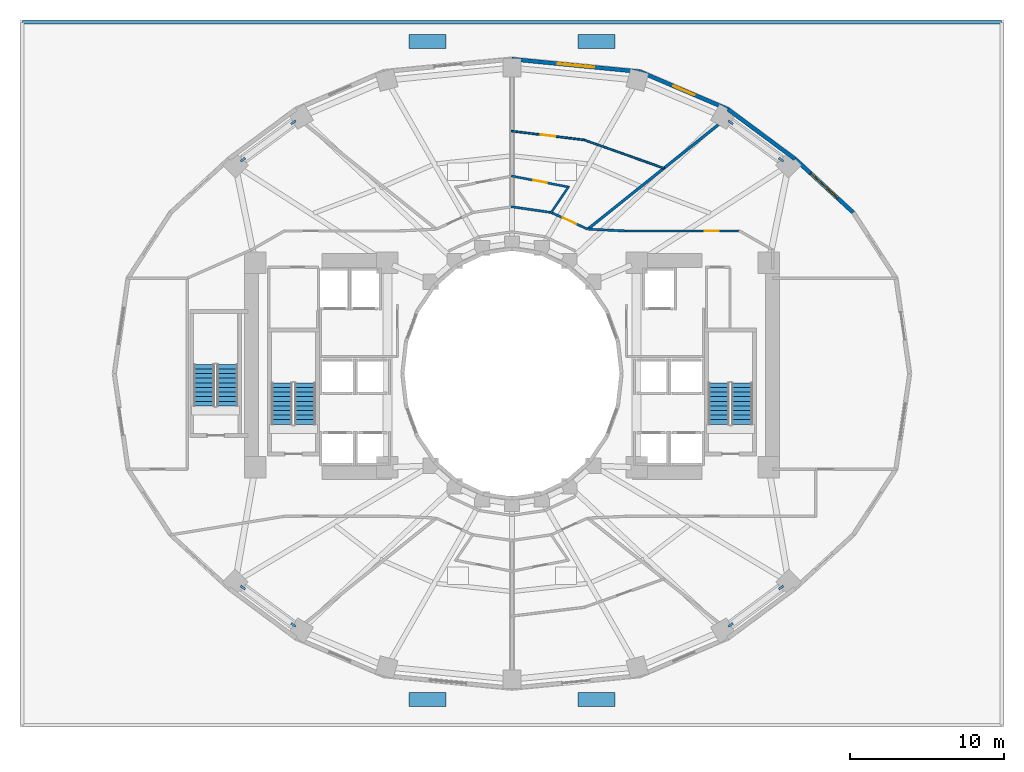
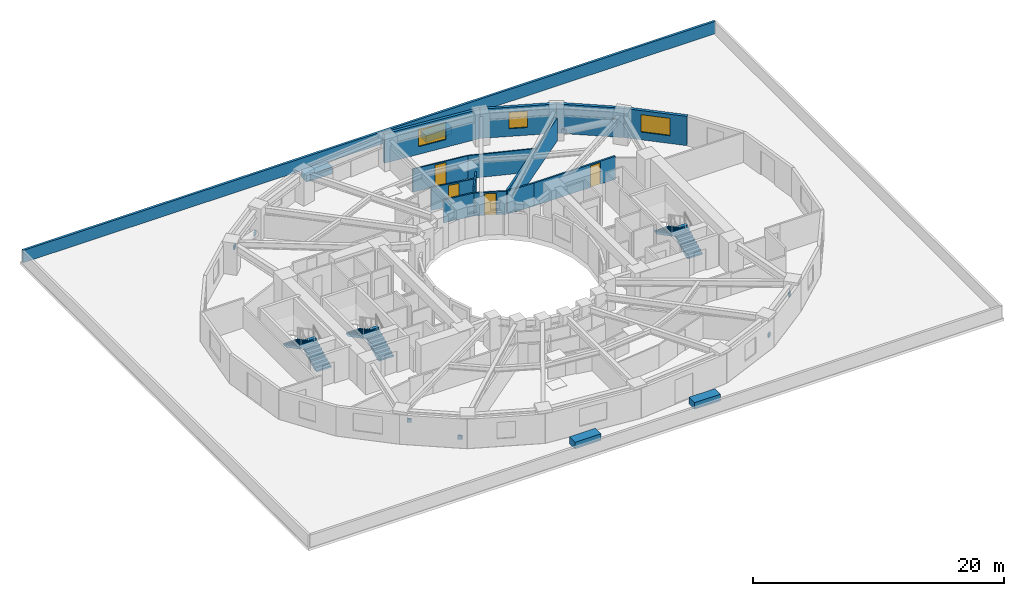
# One storey, part 8 of 10: 14 walls, 12 discrete accessories, 6 stair flights, 4 doors, 3 windows, 7 openings, 3 elements without a shape of their own.
"""IFC4 building model written with IfcOpenShell, lengths in metres."""

from ifc_helpers import new_model, si_unit, direction, frame, frame_2d, origin, origin_2d, place, context, subcontext, project, spatial, polyline, rectangle, outline, extrude, material, layer, layer_set, type_object, element, fill, aggregate, save


model = new_model("IFC4")

# Units and contexts
model_context = context("Model", 3, precision=1e-05, world=origin(), true_north=direction((0.0, 1.0)))
body_context = subcontext(model_context, "Body", "Model", "MODEL_VIEW")
ifc_project = project(units=[si_unit("LENGTHUNIT", "METRE"), si_unit("AREAUNIT", "SQUARE_METRE"), si_unit("VOLUMEUNIT", "CUBIC_METRE"), si_unit("PLANEANGLEUNIT", "RADIAN"), si_unit("MASSUNIT", "GRAM", prefix="KILO")], contexts=[model_context])

# Site, building, storey
site_placement = place(None, origin())
site = spatial("IfcSite", under=ifc_project, at=site_placement, CompositionType="ELEMENT")
building_placement = place(site_placement, origin())
building = spatial("IfcBuilding", under=site, at=building_placement, Name="Solvane Sanctuary Tower", CompositionType="ELEMENT")
storey_placement = place(building_placement, frame((0.0, 0.0, 27.60009765625)))
storey = spatial("IfcBuildingStorey", under=building, at=storey_placement, Name="L07", CompositionType="ELEMENT", Elevation=27.60009765625)

# Wall
ifc_material_1 = material(Name="Acoustic Gypsum Partition Board")
ifc_layer_1 = layer(ifc_material_1, 0.14990234375, Name="Acoustic Gypsum Partition Board")
ifc_layer_set_1 = layer_set([ifc_layer_1], Name="Acoustic Gypsum Partition Board")
wall_type_1 = type_object("IfcWallType", Name="Wall W-CORR-150", PredefinedType="PARTITIONING", material=ifc_layer_set_1)
wall_1_placement = place(storey_placement, frame((36.97998046875, 32.393798828125, 0.0), z_axis=(0.0, 0.0, 1.0), x_axis=(0.998877427952, -0.047369651964, 0.0)))
element("IfcWall", 1, at=wall_1_placement, inside=storey, type_object=wall_type_1, Name="L07 NE Corner Throat Wall", PredefinedType="PARTITIONING", context=body_context, shape_type="SweptSolid", body=[
    extrude(rectangle(XDim=2.4326171875, YDim=0.14990234375, at=frame_2d((1.21630859375, 0.0))), origin(), (0.0, 0.0, 1.0), 2.23681640625),
])

# Wall, opening, door
wall_2_placement = place(storey_placement, frame((39.330078125, 32.280029296875, 0.0), z_axis=(0.0, 0.0, 1.0), x_axis=(1.0, 0.0, 0.0)))
wall_2 = element("IfcWall", 2, at=wall_2_placement, inside=storey, type_object=wall_type_1, Name="L07 NE Corner Corridor Wall", PredefinedType="PARTITIONING", context=body_context, shape_type="SweptSolid", body=[
    extrude(rectangle(XDim=7.52001953125, YDim=0.14990234375, at=frame_2d((3.760009765625, 0.0))), origin(), (0.0, 0.0, 1.0), 2.23681640625),
])
opening_1_placement = place(wall_2_placement, frame((5.219970703125, 0.0, 0.0)))
opening_1 = element("IfcOpeningElement", 3, at=opening_1_placement, cuts=wall_2, Name="Opening D-L07-14", PredefinedType="OPENING", context=body_context, shape_type="SweptSolid", body=[
    extrude(rectangle(XDim=0.89990234375, YDim=2.10009765625, at=frame_2d((0.449951171875, 1.050048828125))), frame((0.0, 0.0849609375, 0.0), z_axis=(0.0, -1.0, 0.0), x_axis=(1.0, 0.0, 0.0)), (0.0, 0.0, 1.0), 0.169921875),
])
ifc_material_2 = material(Name="Engineered Tropical Hardwood", Category="wood")
door_type_1 = type_object("IfcDoorType", Name="Door D-WET-900", OperationType="NOTDEFINED", PredefinedType="DOOR", material=ifc_material_2)
door_1_placement = place(opening_1_placement, origin())
door_1 = element("IfcDoor", 4, at=door_1_placement, inside=storey, type_object=door_type_1, Name="L07 NE Corner Salon Door", OperationType="SINGLE_SWING_RIGHT", OverallHeight=2.10009765625, OverallWidth=0.89990234375, PredefinedType="DOOR", context=body_context, shape_type="SweptSolid", body=[
    extrude(rectangle(XDim=0.89990234375, YDim=2.10009765625, at=frame_2d((0.449951171875, 1.050048828125))), frame((0.0, 0.02490234375, 0.0), z_axis=(0.0, -1.0, 0.0), x_axis=(1.0, 0.0, 0.0)), (0.0, 0.0, 1.0), 0.050048828125),
])
fill(opening_1, door_1)

# Wall
wall_3_placement = place(storey_placement, frame((34.598876953125, 33.47314453125, 0.0), z_axis=(0.0, 0.0, 1.0), x_axis=(-0.989649898776, 0.143502884474, 0.0)))
element("IfcWall", 5, at=wall_3_placement, inside=storey, type_object=wall_type_1, Name="L07 En-suite Inner Wall N1", PredefinedType="PARTITIONING", context=body_context, shape_type="SweptSolid", body=[
    extrude(rectangle(XDim=2.676025390625, YDim=0.14990234375, at=frame_2d((1.337890625, 0.0))), origin(), (0.0, 0.0, 1.0), 2.23681640625),
])

# Wall, opening, door
wall_4_placement = place(storey_placement, frame((36.930908203125, 32.392578125, 0.0), z_axis=(0.0, 0.0, 1.0), x_axis=(-0.909747571199, 0.415161843982, 0.0)))
wall_4 = element("IfcWall", 6, at=wall_4_placement, inside=storey, type_object=wall_type_1, Name="L07 Unit Corridor Wall N1", PredefinedType="PARTITIONING", context=body_context, shape_type="SweptSolid", body=[
    extrude(rectangle(XDim=2.625, YDim=0.14990234375, at=frame_2d((1.3125, 0.0))), origin(), (0.0, 0.0, 1.0), 2.23681640625),
])
opening_2_placement = place(wall_4_placement, frame((0.837646484375, 0.0, 0.0)))
opening_2 = element("IfcOpeningElement", 7, at=opening_2_placement, cuts=wall_4, Name="Opening D-L07-20", PredefinedType="OPENING", context=body_context, shape_type="SweptSolid", body=[
    extrude(rectangle(XDim=0.949951171875, YDim=2.10009765625, at=frame_2d((0.47509765625, 1.050048828125))), frame((0.0, 0.0849609375, 0.0), z_axis=(0.0, -1.0, 0.0), x_axis=(1.0, 0.0, 0.0)), (0.0, 0.0, 1.0), 0.169921875),
])
door_type_2 = type_object("IfcDoorType", Name="Door D-ROOM-950", OperationType="NOTDEFINED", PredefinedType="DOOR", material=ifc_material_2)
door_2_placement = place(opening_2_placement, origin())
door_2 = element("IfcDoor", 8, at=door_2_placement, inside=storey, type_object=door_type_2, Name="L07 Unit Entrance Door N1", OperationType="SINGLE_SWING_RIGHT", OverallHeight=2.10009765625, OverallWidth=0.949951171875, PredefinedType="DOOR", context=body_context, shape_type="SweptSolid", body=[
    extrude(rectangle(XDim=0.949951171875, YDim=2.10009765625, at=frame_2d((0.47509765625, 1.050048828125))), frame((0.0, 0.02490234375, 0.0), z_axis=(0.0, -1.0, 0.0), x_axis=(1.0, 0.0, 0.0)), (0.0, 0.0, 1.0), 0.050048828125),
])
fill(opening_2, door_2)

# Wall, opening, window
ifc_material_3 = material(Name="Precast concrete C40/50", Category="concrete")
ifc_layer_2 = layer(ifc_material_3, 0.260009765625, Name="Precast concrete C40/50")
ifc_layer_set_2 = layer_set([ifc_layer_2], Name="Precast concrete C40/50")
wall_type_2 = type_object("IfcWallType", Name="Wall W-EXT-250", PredefinedType="STANDARD", material=ifc_layer_set_2)
wall_5_placement = place(storey_placement, frame((54.19384765625, 33.4755859375, 0.0), z_axis=(0.0, 0.0, 1.0), x_axis=(-0.735655109293, 0.67735630223, 0.0)))
wall_5 = element("IfcWall", 9, at=wall_5_placement, inside=storey, type_object=wall_type_2, Name="L07 Ceramic-Printed Facade Wall 02", PredefinedType="STANDARD", context=body_context, shape_type="SweptSolid", body=[
    extrude(rectangle(XDim=5.15087890625, YDim=0.260009765625, at=frame_2d((2.575439453125, 0.0))), origin(), (0.0, 0.0, 1.0), 2.849853515625),
])
opening_3_placement = place(wall_5_placement, frame((1.37548828125, 0.0, 0.75)))
opening_3 = element("IfcOpeningElement", 10, at=opening_3_placement, cuts=wall_5, Name="Opening WN-RIB-2400", PredefinedType="OPENING", context=body_context, shape_type="SweptSolid", body=[
    extrude(rectangle(XDim=2.39990234375, YDim=1.699951171875, at=frame_2d((1.199951171875, 0.85009765625))), frame((0.0, 0.139892578125, 0.0), z_axis=(0.0, -1.0, 0.0), x_axis=(1.0, 0.0, 0.0)), (0.0, 0.0, 1.0), 0.280029296875),
])
ifc_material_4 = material(Name="Dark Ceramic-Fritted Low-E Glass", Category="glass")
window_type_1 = type_object("IfcWindowType", Name="Window WN-RIB-2400", PartitioningType="SINGLE_PANEL", PredefinedType="WINDOW", material=ifc_material_4)
window_1_placement = place(opening_3_placement, origin())
window_1 = element("IfcWindow", 11, at=window_1_placement, inside=storey, type_object=window_type_1, Name="L07 Operable Facade Window 02", OverallHeight=1.699951171875, OverallWidth=2.39990234375, PartitioningType="SINGLE_PANEL", PredefinedType="WINDOW", context=body_context, shape_type="SweptSolid", body=[
    extrude(rectangle(XDim=2.39990234375, YDim=1.699951171875, at=frame_2d((1.199951171875, 0.85009765625))), frame((0.0, 0.030029296875, 0.0), z_axis=(0.0, -1.0, 0.0), x_axis=(1.0, 0.0, 0.0)), (0.0, 0.0, 1.0), 0.06005859375),
])
fill(opening_3, window_1)

# Wall
wall_6_placement = place(storey_placement, frame((50.404541015625, 36.964599609375, 0.0), z_axis=(0.0, 0.0, 1.0), x_axis=(-0.803477531792, 0.595335078679, 0.0)))
element("IfcWall", 12, at=wall_6_placement, inside=storey, type_object=wall_type_2, Name="L07 Ceramic-Printed Facade Wall 03", PredefinedType="STANDARD", context=body_context, shape_type="SweptSolid", body=[
    extrude(rectangle(XDim=5.4296875, YDim=0.260009765625, at=frame_2d((2.71484375, 0.0))), origin(), (0.0, 0.0, 1.0), 2.849853515625),
])

# Wall, opening, window
wall_7_placement = place(storey_placement, frame((46.0419921875, 40.197021484375, 0.0), z_axis=(0.0, 0.0, 1.0), x_axis=(-0.919612132394, 0.39282760335, 0.0)))
wall_7 = element("IfcWall", 13, at=wall_7_placement, inside=storey, type_object=wall_type_2, Name="L07 Ceramic-Printed Facade Wall 04", PredefinedType="STANDARD", context=body_context, shape_type="SweptSolid", body=[
    extrude(rectangle(XDim=6.20947265625, YDim=0.260009765625, at=frame_2d((3.104736328125, 0.0))), origin(), (0.0, 0.0, 1.0), 2.849853515625),
])
opening_4_placement = place(wall_7_placement, frame((2.354736328125, 0.0, 0.75)))
opening_4 = element("IfcOpeningElement", 14, at=opening_4_placement, cuts=wall_7, Name="Opening WN-OPER-1500", PredefinedType="OPENING", context=body_context, shape_type="SweptSolid", body=[
    extrude(rectangle(XDim=1.5, YDim=1.60009765625, at=frame_2d((0.75, 0.800048828125))), frame((0.0, 0.139892578125, 0.0), z_axis=(0.0, -1.0, 0.0), x_axis=(1.0, 0.0, 0.0)), (0.0, 0.0, 1.0), 0.280029296875),
])
window_type_2 = type_object("IfcWindowType", Name="Window WN-OPER-1500", PartitioningType="SINGLE_PANEL", PredefinedType="WINDOW", material=ifc_material_4)
window_2_placement = place(opening_4_placement, origin())
window_2 = element("IfcWindow", 15, at=window_2_placement, inside=storey, type_object=window_type_2, Name="L07 Operable Facade Window 04", OverallHeight=1.60009765625, OverallWidth=1.5, PartitioningType="SINGLE_PANEL", PredefinedType="WINDOW", context=body_context, shape_type="SweptSolid", body=[
    extrude(rectangle(XDim=1.5, YDim=1.60009765625, at=frame_2d((0.75, 0.800048828125))), frame((0.0, 0.030029296875, 0.0), z_axis=(0.0, -1.0, 0.0), x_axis=(1.0, 0.0, 0.0)), (0.0, 0.0, 1.0), 0.06005859375),
])
fill(opening_4, window_2)

wall_8_placement = place(storey_placement, frame((40.331787109375, 42.63623046875, 0.0), z_axis=(0.0, 0.0, 1.0), x_axis=(-0.995247718352, 0.097375454379, 0.0)))
wall_8 = element("IfcWall", 16, at=wall_8_placement, inside=storey, type_object=wall_type_2, Name="L07 Ceramic-Printed Facade Wall 05", PredefinedType="STANDARD", context=body_context, shape_type="SweptSolid", body=[
    extrude(rectangle(XDim=8.37158203125, YDim=0.260009765625, at=frame_2d((4.185791015625, 0.0))), origin(), (0.0, 0.0, 1.0), 2.849853515625),
])
opening_5_placement = place(wall_8_placement, frame((2.985595703125, 0.0, 0.75)))
opening_5 = element("IfcOpeningElement", 17, at=opening_5_placement, cuts=wall_8, Name="Opening WN-RIB-2400", PredefinedType="OPENING", context=body_context, shape_type="SweptSolid", body=[
    extrude(rectangle(XDim=2.39990234375, YDim=1.699951171875, at=frame_2d((1.199951171875, 0.85009765625))), frame((0.0, 0.139892578125, 0.0), z_axis=(0.0, -1.0, 0.0), x_axis=(1.0, 0.0, 0.0)), (0.0, 0.0, 1.0), 0.280029296875),
])
window_3_placement = place(opening_5_placement, origin())
window_3 = element("IfcWindow", 18, at=window_3_placement, inside=storey, type_object=window_type_1, Name="L07 Operable Facade Window 05", OverallHeight=1.699951171875, OverallWidth=2.39990234375, PartitioningType="SINGLE_PANEL", PredefinedType="WINDOW", context=body_context, shape_type="SweptSolid", body=[
    extrude(rectangle(XDim=2.39990234375, YDim=1.699951171875, at=frame_2d((1.199951171875, 0.85009765625))), frame((0.0, 0.030029296875, 0.0), z_axis=(0.0, -1.0, 0.0), x_axis=(1.0, 0.0, 0.0)), (0.0, 0.0, 1.0), 0.06005859375),
])
fill(opening_5, window_3)

# Wall
ifc_layer_3 = layer(ifc_material_1, 0.1201171875, Name="Acoustic Gypsum Partition Board")
ifc_layer_set_3 = layer_set([ifc_layer_3], Name="Acoustic Gypsum Partition Board")
wall_type_3 = type_object("IfcWallType", Name="Wall W-MOV-100", PredefinedType="MOVABLE", material=ifc_layer_set_3)
wall_9_placement = place(storey_placement, frame((41.927734375, 36.341796875, 0.0), z_axis=(0.0, 0.0, 1.0), x_axis=(-0.942369240096, 0.334574678243, 0.0)))
element("IfcWall", 19, at=wall_9_placement, inside=storey, type_object=wall_type_3, Name="L07 Suite Sitting Lounge Partition N1", PredefinedType="MOVABLE", context=body_context, shape_type="SweptSolid", body=[
    extrude(rectangle(XDim=5.558837890625, YDim=0.1201171875, at=frame_2d((2.779296875, 0.0))), origin(), (0.0, 0.0, 1.0), 2.23681640625),
])

# Wall, opening, door
wall_10_placement = place(storey_placement, frame((36.70849609375, 38.197265625, 0.0), z_axis=(0.0, 0.0, 1.0), x_axis=(-0.992699076447, 0.120617343785, 0.0)))
wall_10 = element("IfcWall", 20, at=wall_10_placement, inside=storey, type_object=wall_type_3, Name="L07 Suite Sitting Lounge Partition N1", PredefinedType="MOVABLE", context=body_context, shape_type="SweptSolid", body=[
    extrude(rectangle(XDim=4.79296875, YDim=0.1201171875, at=frame_2d((2.396484375, 0.0))), origin(), (0.0, 0.0, 1.0), 2.23681640625),
])
opening_6_placement = place(wall_10_placement, frame((1.921630859375, 0.0, 0.0)))
opening_6 = element("IfcOpeningElement", 21, at=opening_6_placement, cuts=wall_10, Name="Opening D-L07-18", PredefinedType="OPENING", context=body_context, shape_type="SweptSolid", body=[
    extrude(rectangle(XDim=0.949951171875, YDim=2.10009765625, at=frame_2d((0.47509765625, 1.050048828125))), frame((0.0, 0.070068359375, 0.0), z_axis=(0.0, -1.0, 0.0), x_axis=(1.0, 0.0, 0.0)), (0.0, 0.0, 1.0), 0.14013671875),
])
door_3_placement = place(opening_6_placement, origin())
door_3 = element("IfcDoor", 22, at=door_3_placement, inside=storey, type_object=door_type_2, Name="L07 Suite Sitting Lounge Door N1", OperationType="SINGLE_SWING_RIGHT", OverallHeight=2.10009765625, OverallWidth=0.949951171875, PredefinedType="DOOR", context=body_context, shape_type="SweptSolid", body=[
    extrude(rectangle(XDim=0.949951171875, YDim=2.10009765625, at=frame_2d((0.47509765625, 1.050048828125))), frame((0.0, 0.02490234375, 0.0), z_axis=(0.0, -1.0, 0.0), x_axis=(1.0, 0.0, 0.0)), (0.0, 0.0, 1.0), 0.050048828125),
])
fill(opening_6, door_3)

# Walls
ifc_layer_4 = layer(ifc_material_3, 0.2099609375, Name="Precast concrete C40/50")
ifc_layer_set_4 = layer_set([ifc_layer_4], Name="Precast concrete C40/50")
wall_type_4 = type_object("IfcWallType", Name="Wall W-PARAPET-200", PredefinedType="PARAPET", material=ifc_layer_set_4)
wall_11_placement = place(storey_placement, frame((63.85009765625, 45.85009765625, 0.0), z_axis=(0.0, 0.0, 1.0), x_axis=(-1.0, 0.0, 0.0)))
element("IfcWall", 23, at=wall_11_placement, inside=storey, type_object=wall_type_4, Name="L07 Podium Roof Perimeter Parapet N", PredefinedType="PARAPET", context=body_context, shape_type="SweptSolid", body=[
    extrude(rectangle(XDim=63.7001953125, YDim=0.2099609375, at=frame_2d((31.85009765625, 0.0))), origin(), (0.0, 0.0, 1.0), 1.199951171875),
])
ifc_layer_5 = layer(ifc_material_1, 0.179931640625, Name="Acoustic Gypsum Partition Board")
ifc_layer_set_5 = layer_set([ifc_layer_5], Name="Acoustic Gypsum Partition Board")
wall_type_5 = type_object("IfcWallType", Name="Wall W-UNIT-180", PredefinedType="PARTITIONING", material=ifc_layer_set_5)
wall_12_placement = place(storey_placement, frame((36.968017578125, 32.4306640625, 0.0), z_axis=(0.0, 0.0, 1.0), x_axis=(0.781055486744, 0.624461629428, 0.0)))
element("IfcWall", 24, at=wall_12_placement, inside=storey, type_object=wall_type_5, Name="L07 Radial Compartment Wall 060", PredefinedType="PARTITIONING", context=body_context, shape_type="SweptSolid", body=[
    extrude(rectangle(XDim=10.84326171875, YDim=0.179931640625, at=frame_2d((5.421630859375, 0.0))), origin(), (0.0, 0.0, 1.0), 2.23681640625),
])
ifc_layer_6 = layer(ifc_material_1, 0.139892578125, Name="Acoustic Gypsum Partition Board")
ifc_layer_set_6 = layer_set([ifc_layer_6], Name="Acoustic Gypsum Partition Board")
wall_type_6 = type_object("IfcWallType", Name="Wall W-WET-140", PredefinedType="PLUMBINGWALL", material=ifc_layer_set_6)
wall_13_placement = place(storey_placement, frame((34.521484375, 33.43896484375, 0.0), z_axis=(0.0, 0.0, 1.0), x_axis=(0.56056273171, 0.828111963335, 0.0)))
element("IfcWall", 25, at=wall_13_placement, inside=storey, type_object=wall_type_6, Name="L07 En-suite Side Partition N1", PredefinedType="PLUMBINGWALL", context=body_context, shape_type="SweptSolid", body=[
    extrude(rectangle(XDim=2.099609375, YDim=0.139892578125, at=frame_2d((1.0498046875, 0.0))), origin(), (0.0, 0.0, 1.0), 2.85498046875),
])

# Wall, opening, door
wall_14_placement = place(storey_placement, frame((35.7197265625, 35.126953125, 0.0), z_axis=(0.0, 0.0, 1.0), x_axis=(-0.981623000654, 0.190830512727, 0.0)))
wall_14 = element("IfcWall", 26, at=wall_14_placement, inside=storey, type_object=wall_type_6, Name="L07 En-suite Bedroom Wall N1", PredefinedType="PLUMBINGWALL", context=body_context, shape_type="SweptSolid", body=[
    extrude(rectangle(XDim=3.83935546875, YDim=0.139892578125, at=frame_2d((1.919677734375, 0.0))), origin(), (0.0, 0.0, 1.0), 2.23681640625),
])
opening_7_placement = place(wall_14_placement, frame((1.4697265625, 0.0, 0.0)))
opening_7 = element("IfcOpeningElement", 27, at=opening_7_placement, cuts=wall_14, Name="Opening D-L07-19", PredefinedType="OPENING", context=body_context, shape_type="SweptSolid", body=[
    extrude(rectangle(XDim=0.89990234375, YDim=2.10009765625, at=frame_2d((0.449951171875, 1.050048828125))), frame((0.0, 0.079833984375, 0.0), z_axis=(0.0, -1.0, 0.0), x_axis=(1.0, 0.0, 0.0)), (0.0, 0.0, 1.0), 0.159912109375),
])
door_4_placement = place(opening_7_placement, origin())
door_4 = element("IfcDoor", 28, at=door_4_placement, inside=storey, type_object=door_type_1, Name="L07 En-suite Bathroom Door N1", OperationType="SINGLE_SWING_LEFT", OverallHeight=2.10009765625, OverallWidth=0.89990234375, PredefinedType="DOOR", context=body_context, shape_type="SweptSolid", body=[
    extrude(rectangle(XDim=0.89990234375, YDim=2.10009765625, at=frame_2d((0.449951171875, 1.050048828125))), frame((0.0, 0.02490234375, 0.0), z_axis=(0.0, -1.0, 0.0), x_axis=(1.0, 0.0, 0.0)), (0.0, 0.0, 1.0), 0.050048828125),
])
fill(opening_7, door_4)

# Stair, stair flights
ifc_material_5 = material(Name="Concrete C45/55", Category="concrete")
stair_type = type_object("IfcStairType", Name="Stair ST-TOW", PredefinedType="HALF_TURN_STAIR", material=ifc_material_5)
stair_1_placement = place(storey_placement, origin())
stair_1 = element("IfcStair", 29, at=stair_1_placement, inside=storey, type_object=stair_type, Name="L07 Exit Stair ST-1 West Core", PredefinedType="HALF_TURN_STAIR")
stair_flight_type = type_object("IfcStairFlightType", Name="StairFlight SF-TOW", PredefinedType="STRAIGHT", material=ifc_material_5)
stair_flight_1_placement = place(storey_placement, frame((18.544921875, 19.699951171875, 0.0), z_axis=(0.0, 0.0, 1.0), x_axis=(0.0, 1.0, 0.0)))
stair_flight_1 = element("IfcStairFlight", 30, at=stair_flight_1_placement, type_object=stair_flight_type, Name="ST-1 flight 1", NumberOfRisers=10, NumberOfTreads=9, PredefinedType="STRAIGHT", RiserHeight=0.155, TreadLength=0.3, context=body_context, shape_type="SweptSolid", body=[
    extrude(outline(polyline([(0.0, 0.0), (0.0, 0.155029296875), (0.300048828125, 0.155029296875), (0.300048828125, 0.31005859375), (0.60009765625, 0.31005859375), (0.60009765625, 0.465087890625), (0.89990234375, 0.465087890625), (0.89990234375, 0.6201171875), (1.199951171875, 0.6201171875), (1.199951171875, 0.77490234375), (1.5, 0.77490234375), (1.5, 0.929931640625), (1.800048828125, 0.929931640625), (1.800048828125, 1.0849609375), (2.10009765625, 1.0849609375), (2.10009765625, 1.239990234375), (2.39990234375, 1.239990234375), (2.39990234375, 1.39501953125), (2.699951171875, 1.39501953125), (2.699951171875, 1.550048828125), (2.699951171875, 1.1923828125), (0.39208984375, 0.0), (0.0, 0.0)])), frame((0.0, 0.675048828125, 0.0), z_axis=(0.0, -1.0, 0.0), x_axis=(1.0, 0.0, 0.0)), (0.0, 0.0, 1.0), 1.35009765625),
])
stair_flight_2_placement = place(storey_placement, frame((17.034912109375, 22.39990234375, 1.5498046875), z_axis=(0.0, 0.0, 1.0), x_axis=(0.0, -1.0, 0.0)))
stair_flight_2 = element("IfcStairFlight", 31, at=stair_flight_2_placement, type_object=stair_flight_type, Name="ST-1 flight 2", NumberOfRisers=10, NumberOfTreads=9, PredefinedType="STRAIGHT", RiserHeight=0.155, TreadLength=0.3, context=body_context, shape_type="SweptSolid", body=[
    extrude(outline(polyline([(0.0, 0.0), (0.0, 0.155029296875), (0.300048828125, 0.155029296875), (0.300048828125, 0.31005859375), (0.60009765625, 0.31005859375), (0.60009765625, 0.465087890625), (0.89990234375, 0.465087890625), (0.89990234375, 0.6201171875), (1.199951171875, 0.6201171875), (1.199951171875, 0.77490234375), (1.5, 0.77490234375), (1.5, 0.929931640625), (1.800048828125, 0.929931640625), (1.800048828125, 1.0849609375), (2.10009765625, 1.0849609375), (2.10009765625, 1.239990234375), (2.39990234375, 1.239990234375), (2.39990234375, 1.39501953125), (2.699951171875, 1.39501953125), (2.699951171875, 1.550048828125), (2.699951171875, 1.1923828125), (0.39208984375, 0.0), (0.0, 0.0)])), frame((0.0, 0.675048828125, 0.0), z_axis=(0.0, -1.0, 0.0), x_axis=(1.0, 0.0, 0.0)), (0.0, 0.0, 1.0), 1.35009765625),
])
aggregate(stair_1, [stair_flight_1, stair_flight_2])

stair_2_placement = place(storey_placement, origin())
stair_2 = element("IfcStair", 32, at=stair_2_placement, inside=storey, type_object=stair_type, Name="L07 Exit Stair ST-2 East Core", PredefinedType="HALF_TURN_STAIR")
stair_flight_3_placement = place(storey_placement, frame((46.965087890625, 19.699951171875, 0.0), z_axis=(0.0, 0.0, 1.0), x_axis=(0.0, 1.0, 0.0)))
stair_flight_3 = element("IfcStairFlight", 33, at=stair_flight_3_placement, type_object=stair_flight_type, Name="ST-2 flight 1", NumberOfRisers=10, NumberOfTreads=9, PredefinedType="STRAIGHT", RiserHeight=0.155, TreadLength=0.3, context=body_context, shape_type="SweptSolid", body=[
    extrude(outline(polyline([(0.0, 0.0), (0.0, 0.155029296875), (0.300048828125, 0.155029296875), (0.300048828125, 0.31005859375), (0.60009765625, 0.31005859375), (0.60009765625, 0.465087890625), (0.89990234375, 0.465087890625), (0.89990234375, 0.6201171875), (1.199951171875, 0.6201171875), (1.199951171875, 0.77490234375), (1.5, 0.77490234375), (1.5, 0.929931640625), (1.800048828125, 0.929931640625), (1.800048828125, 1.0849609375), (2.10009765625, 1.0849609375), (2.10009765625, 1.239990234375), (2.39990234375, 1.239990234375), (2.39990234375, 1.39501953125), (2.699951171875, 1.39501953125), (2.699951171875, 1.550048828125), (2.699951171875, 1.1923828125), (0.39208984375, 0.0), (0.0, 0.0)])), frame((0.0, 0.675048828125, 0.0), z_axis=(0.0, -1.0, 0.0), x_axis=(1.0, 0.0, 0.0)), (0.0, 0.0, 1.0), 1.35009765625),
])
stair_flight_4_placement = place(storey_placement, frame((45.455078125, 22.39990234375, 1.5498046875), z_axis=(0.0, 0.0, 1.0), x_axis=(0.0, -1.0, 0.0)))
stair_flight_4 = element("IfcStairFlight", 34, at=stair_flight_4_placement, type_object=stair_flight_type, Name="ST-2 flight 2", NumberOfRisers=10, NumberOfTreads=9, PredefinedType="STRAIGHT", RiserHeight=0.155, TreadLength=0.3, context=body_context, shape_type="SweptSolid", body=[
    extrude(outline(polyline([(0.0, 0.0), (0.0, 0.155029296875), (0.300048828125, 0.155029296875), (0.300048828125, 0.31005859375), (0.60009765625, 0.31005859375), (0.60009765625, 0.465087890625), (0.89990234375, 0.465087890625), (0.89990234375, 0.6201171875), (1.199951171875, 0.6201171875), (1.199951171875, 0.77490234375), (1.5, 0.77490234375), (1.5, 0.929931640625), (1.800048828125, 0.929931640625), (1.800048828125, 1.0849609375), (2.10009765625, 1.0849609375), (2.10009765625, 1.239990234375), (2.39990234375, 1.239990234375), (2.39990234375, 1.39501953125), (2.699951171875, 1.39501953125), (2.699951171875, 1.550048828125), (2.699951171875, 1.1923828125), (0.39208984375, 0.0), (0.0, 0.0)])), frame((0.0, 0.675048828125, 0.0), z_axis=(0.0, -1.0, 0.0), x_axis=(1.0, 0.0, 0.0)), (0.0, 0.0, 1.0), 1.35009765625),
])
aggregate(stair_2, [stair_flight_3, stair_flight_4])

stair_3_placement = place(storey_placement, origin())
stair_3 = element("IfcStair", 35, at=stair_3_placement, inside=storey, type_object=stair_type, Name="L07 Exit Stair ST-3 Pilgrim Tower Stair", PredefinedType="HALF_TURN_STAIR")
stair_flight_5_placement = place(storey_placement, frame((13.485107421875, 20.89990234375, 0.0), z_axis=(0.0, 0.0, 1.0), x_axis=(0.0, 1.0, 0.0)))
stair_flight_5 = element("IfcStairFlight", 36, at=stair_flight_5_placement, type_object=stair_flight_type, Name="ST-3 flight 1", NumberOfRisers=10, NumberOfTreads=9, PredefinedType="STRAIGHT", RiserHeight=0.155, TreadLength=0.3, context=body_context, shape_type="SweptSolid", body=[
    extrude(outline(polyline([(0.0, 0.0), (0.0, 0.155029296875), (0.300048828125, 0.155029296875), (0.300048828125, 0.31005859375), (0.60009765625, 0.31005859375), (0.60009765625, 0.465087890625), (0.89990234375, 0.465087890625), (0.89990234375, 0.6201171875), (1.199951171875, 0.6201171875), (1.199951171875, 0.77490234375), (1.5, 0.77490234375), (1.5, 0.929931640625), (1.800048828125, 0.929931640625), (1.800048828125, 1.0849609375), (2.10009765625, 1.0849609375), (2.10009765625, 1.239990234375), (2.39990234375, 1.239990234375), (2.39990234375, 1.39501953125), (2.699951171875, 1.39501953125), (2.699951171875, 1.550048828125), (2.699951171875, 1.1923828125), (0.39208984375, 0.0), (0.0, 0.0)])), frame((0.0, 0.675048828125, 0.0), z_axis=(0.0, -1.0, 0.0), x_axis=(1.0, 0.0, 0.0)), (0.0, 0.0, 1.0), 1.35009765625),
])
stair_flight_6_placement = place(storey_placement, frame((11.97509765625, 23.60009765625, 1.5498046875), z_axis=(0.0, 0.0, 1.0), x_axis=(0.0, -1.0, 0.0)))
stair_flight_6 = element("IfcStairFlight", 37, at=stair_flight_6_placement, type_object=stair_flight_type, Name="ST-3 flight 2", NumberOfRisers=10, NumberOfTreads=9, PredefinedType="STRAIGHT", RiserHeight=0.155, TreadLength=0.3, context=body_context, shape_type="SweptSolid", body=[
    extrude(outline(polyline([(0.0, 0.0), (0.0, 0.155029296875), (0.300048828125, 0.155029296875), (0.300048828125, 0.31005859375), (0.60009765625, 0.31005859375), (0.60009765625, 0.465087890625), (0.89990234375, 0.465087890625), (0.89990234375, 0.6201171875), (1.199951171875, 0.6201171875), (1.199951171875, 0.77490234375), (1.5, 0.77490234375), (1.5, 0.929931640625), (1.800048828125, 0.929931640625), (1.800048828125, 1.0849609375), (2.10009765625, 1.0849609375), (2.10009765625, 1.239990234375), (2.39990234375, 1.239990234375), (2.39990234375, 1.39501953125), (2.699951171875, 1.39501953125), (2.699951171875, 1.550048828125), (2.699951171875, 1.1923828125), (0.39208984375, 0.0), (0.0, 0.0)])), frame((0.0, 0.675048828125, 0.0), z_axis=(0.0, -1.0, 0.0), x_axis=(1.0, 0.0, 0.0)), (0.0, 0.0, 1.0), 1.35009765625),
])
aggregate(stair_3, [stair_flight_5, stair_flight_6])

# Discrete accessories
ifc_material_6 = material(Name="Steel ASTM A572 Grade 50", Category="steel")
ifc_layer_7 = layer(ifc_material_6, 0.360107421875, Name="Steel ASTM A572 Grade 50")
ifc_layer_set_7 = layer_set([ifc_layer_7], Name="Steel ASTM A572 Grade 50")
discrete_accessory_type_1 = type_object("IfcDiscreteAccessoryType", Name="Accessory ACC-GUSSET-BRK", PredefinedType="BRACKET", material=ifc_layer_set_7)
for number, where, z_axis, x_axis, name in (
    (38, (46.216796875, 39.34228515625, 0.3974609375), (0.0, 0.0, 1.0), (0.804271929332, -0.594261443885, 0.0), "L07 Perimeter Braced-Tube Diagonal NE End Gusset Bracket A"),
    (39, (49.499755859375, 36.9169921875, 1.720703125), (0.0, 0.0, 1.0), (0.804271929332, -0.594261443885, 0.0), "L07 Perimeter Braced-Tube Diagonal NE End Gusset Bracket B"),
    (40, (17.783203125, 39.34228515625, 0.3974609375), (0.0, 0.0, 1.0), (-0.804271929332, -0.594261443885, 0.0), "L07 Perimeter Braced-Tube Diagonal NW End Gusset Bracket A"),
    (41, (14.500244140625, 36.9169921875, 1.720703125), (0.0, 0.0, 1.0), (-0.804271929332, -0.594261443885, 0.0), "L07 Perimeter Braced-Tube Diagonal NW End Gusset Bracket B"),
    (42, (17.783203125, 6.65771484375, 0.3974609375), (0.0, 0.0, 1.0), (-0.804271929332, 0.594261443885, 0.0), "L07 Perimeter Braced-Tube Diagonal SW End Gusset Bracket A"),
    (43, (14.500244140625, 9.0830078125, 1.720703125), (0.0, 0.0, 1.0), (-0.804271929332, 0.594261443885, 0.0), "L07 Perimeter Braced-Tube Diagonal SW End Gusset Bracket B"),
    (44, (46.216796875, 6.65771484375, 0.3974609375), (0.0, 0.0, 1.0), (0.804271929332, 0.594261443885, 0.0), "L07 Perimeter Braced-Tube Diagonal SE End Gusset Bracket A"),
    (45, (49.499755859375, 9.0830078125, 1.720703125), (0.0, 0.0, 1.0), (0.804271929332, 0.594261443885, 0.0), "L07 Perimeter Braced-Tube Diagonal SE End Gusset Bracket B"),
):
    element("IfcDiscreteAccessory", number, at=place(storey_placement, frame(where, z_axis=z_axis, x_axis=x_axis)), inside=storey, type_object=discrete_accessory_type_1, Name=name, PredefinedType="BRACKET", context=body_context, shape_type="SweptSolid", body=[
        extrude(rectangle(XDim=0.360107421875, YDim=0.139892578125, at=origin_2d()), origin(), (0.0, 0.0, 1.0), 0.360107421875),
    ])
ifc_layer_8 = layer(ifc_material_3, 0.64990234375, Name="Precast concrete C40/50")
ifc_layer_set_8 = layer_set([ifc_layer_8], Name="Precast concrete C40/50")
discrete_accessory_type_2 = type_object("IfcDiscreteAccessoryType", Name="Accessory PLN-TERRACE", PredefinedType="USERDEFINED", material=ifc_layer_set_8)
for number, where, z_axis, x_axis, name in (
    (46, (26.5, 44.60009765625, 0.0), (0.0, 0.0, 1.0), (1.0, 0.0, 0.0), "L07 Podium Sky Terrace Planter 1"),
    (47, (37.5, 44.60009765625, 0.0), (0.0, 0.0, 1.0), (1.0, 0.0, 0.0), "L07 Podium Sky Terrace Planter 2"),
    (48, (26.5, 1.800048828125, 0.0), (0.0, 0.0, 1.0), (1.0, 0.0, 0.0), "L07 Podium Sky Terrace Planter 3"),
    (49, (37.5, 1.800048828125, 0.0), (0.0, 0.0, 1.0), (1.0, 0.0, 0.0), "L07 Podium Sky Terrace Planter 4"),
):
    element("IfcDiscreteAccessory", number, at=place(storey_placement, frame(where, z_axis=z_axis, x_axis=x_axis)), inside=storey, type_object=discrete_accessory_type_2, Name=name, ObjectType="PLANTER", PredefinedType="USERDEFINED", context=body_context, shape_type="SweptSolid", body=[
        extrude(rectangle(XDim=2.39990234375, YDim=0.89990234375, at=origin_2d()), origin(), (0.0, 0.0, 1.0), 0.64990234375),
    ])

save(model, "model.ifc")
